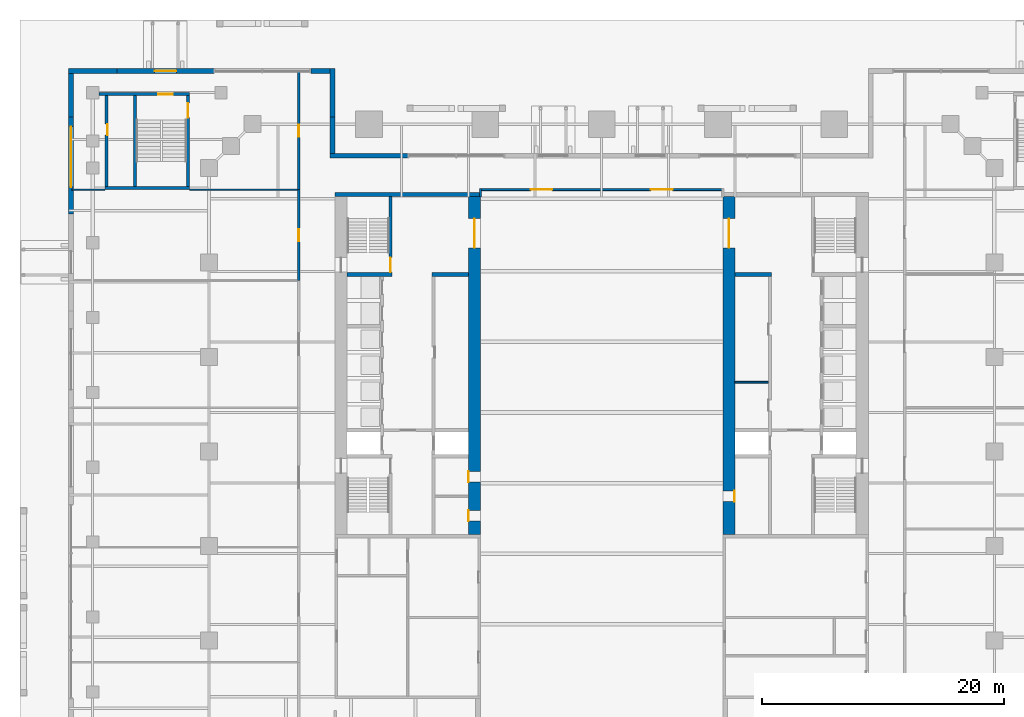
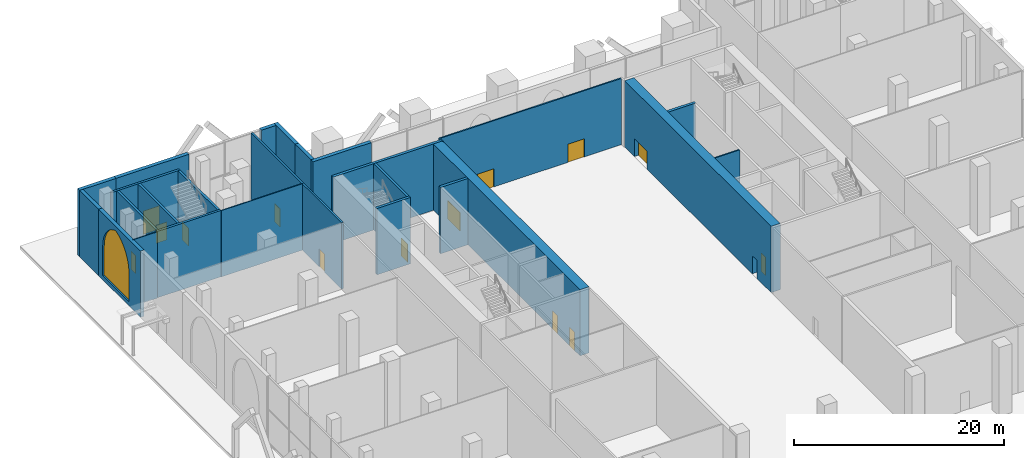
# One storey, part 32 of 38: 27 walls, 14 doors, 1 window, 15 openings.
"""IFC4 building model written with IfcOpenShell, lengths in metres."""

from ifc_helpers import new_model, si_unit, direction, frame, frame_2d, origin, place, context, subcontext, project, spatial, polyline, rectangle, outline, extrude, material, layer, layer_set, type_object, element, fill, save


model = new_model("IFC4")

# Units and contexts
model_context = context("Model", 3, precision=1e-05, world=origin(), true_north=direction((0.0, 1.0)))
body_context = subcontext(model_context, "Body", "Model", "MODEL_VIEW")
ifc_project = project(units=[si_unit("LENGTHUNIT", "METRE"), si_unit("AREAUNIT", "SQUARE_METRE"), si_unit("VOLUMEUNIT", "CUBIC_METRE"), si_unit("PLANEANGLEUNIT", "RADIAN"), si_unit("MASSUNIT", "GRAM", prefix="KILO")], contexts=[model_context])

# Site, building, storey
site_placement = place(None, origin())
site = spatial("IfcSite", under=ifc_project, at=site_placement, CompositionType="ELEMENT")
building_placement = place(site_placement, origin())
building = spatial("IfcBuilding", under=site, at=building_placement, Name="Ogive Exchange Tower", CompositionType="ELEMENT")
storey_placement = place(building_placement, origin())
storey = spatial("IfcBuildingStorey", under=building, at=storey_placement, Name="L00", CompositionType="ELEMENT", Elevation=0.0)

# Walls
ifc_material_1 = material(Name="Gypsum board partition")
ifc_layer_1 = layer(ifc_material_1, 0.14990234375)
ifc_layer_set_1 = layer_set([ifc_layer_1], Name="Core room partition 150 gypsum")
wall_type_1 = type_object("IfcWallType", Name="Core room partition 150 gypsum", PredefinedType="PARTITIONING", material=ifc_layer_set_1)
wall_1_placement = place(storey_placement, frame((11.0, 10.10009765625, 0.0), z_axis=(0.0, 0.0, 1.0), x_axis=(1.0, 0.0, 0.0)))
element("IfcWall", 1, at=wall_1_placement, inside=storey, type_object=wall_type_1, Name="E row B bay partition 1-1", PredefinedType="PARTITIONING", context=body_context, shape_type="SweptSolid", body=[
    extrude(rectangle(XDim=2.75, YDim=0.14990234375, at=frame_2d((1.375, 0.0))), origin(), (0.0, 0.0, 1.0), 7.699951171875),
])
ifc_layer_2 = layer(ifc_material_1, 0.300048828125)
ifc_layer_set_2 = layer_set([ifc_layer_2], Name="Core room partition 300 gypsum")
wall_type_2 = type_object("IfcWallType", Name="Core room partition 300 gypsum", PredefinedType="PARTITIONING", material=ifc_layer_set_2)
for number, where, z_axis, x_axis, name in (
    (2, (-14.0, 19.0, 0.0), (0.0, 0.0, 1.0), (1.0, 0.0, 0.0), "W row B room end wall 7"),
    (3, (11.0, 19.0, 0.0), (0.0, 0.0, 1.0), (1.0, 0.0, 0.0), "E row B room end wall 7"),
):
    element("IfcWall", number, at=place(storey_placement, frame(where, z_axis=z_axis, x_axis=x_axis)), inside=storey, type_object=wall_type_2, Name=name, PredefinedType="PARTITIONING", context=body_context, shape_type="SweptSolid", body=[
        extrude(rectangle(XDim=3.0, YDim=0.300048828125, at=frame_2d((1.5, 0.0))), origin(), (0.0, 0.0, 1.0), 7.699951171875),
    ])

# Wall, openings, doors
ifc_material_2 = material(Name="Fire partition EI 60 150")
ifc_layer_3 = layer(ifc_material_2, 0.14990234375)
ifc_layer_set_3 = layer_set([ifc_layer_3], Name="Fire partition EI 60 150")
wall_type_3 = type_object("IfcWallType", Name="Fire partition EI 60 150", PredefinedType="PARTITIONING", material=ifc_layer_set_3)
wall_2_placement = place(storey_placement, frame((-9.925048828125, 26.0, 0.0), z_axis=(0.0, 0.0, 1.0), x_axis=(1.0, 0.0, 0.0)))
wall_2 = element("IfcWall", 4, at=wall_2_placement, inside=storey, type_object=wall_type_3, Name="L00-PWL-027", PredefinedType="PARTITIONING", context=body_context, shape_type="SweptSolid", body=[
    extrude(rectangle(XDim=19.85009765625, YDim=0.14990234375, at=frame_2d((9.925048828125, 0.0))), origin(), (0.0, 0.0, 1.0), 7.699951171875),
])
opening_1_placement = place(wall_2_placement, frame((4.0625, 0.0, 0.0)))
opening_1 = element("IfcOpeningElement", 5, at=opening_1_placement, cuts=wall_2, Name="Opening L00-I01", PredefinedType="OPENING", context=body_context, shape_type="SweptSolid", body=[
    extrude(rectangle(XDim=1.800048828125, YDim=2.10009765625, at=frame_2d((0.89990234375, 1.050048828125))), frame((0.0, 0.0849609375, 0.0), z_axis=(0.0, -1.0, 0.0), x_axis=(1.0, 0.0, 0.0)), (0.0, 0.0, 1.0), 0.169921875),
])
opening_2_placement = place(wall_2_placement, frame((13.987548828125, 0.0, 0.0)))
opening_2 = element("IfcOpeningElement", 6, at=opening_2_placement, cuts=wall_2, Name="Opening L00-I02", PredefinedType="OPENING", context=body_context, shape_type="SweptSolid", body=[
    extrude(rectangle(XDim=1.800048828125, YDim=2.10009765625, at=frame_2d((0.89990234375, 1.050048828125))), frame((0.0, 0.0849609375, 0.0), z_axis=(0.0, -1.0, 0.0), x_axis=(1.0, 0.0, 0.0)), (0.0, 0.0, 1.0), 0.169921875),
])
ifc_material_3 = material(Name="Fire door FD 30S 1800 x 2100")
door_type_1 = type_object("IfcDoorType", Name="Fire door FD 30S 1800 x 2100", OperationType="DOUBLE_DOOR_SINGLE_SWING", PredefinedType="DOOR", material=ifc_material_3)
door_1_placement = place(opening_1_placement, frame((1.800048828125, 0.0, 0.0), z_axis=(0.0, 0.0, 1.0), x_axis=(-1.0, 0.0, 0.0)))
door_1 = element("IfcDoor", 7, at=door_1_placement, inside=storey, type_object=door_type_1, Name="L00-IDR-001", ObjectType="DT4", OperationType="SINGLE_SWING_RIGHT", OverallHeight=2.10009765625, OverallWidth=1.800048828125, PredefinedType="DOOR", context=body_context, shape_type="SweptSolid", body=[
    extrude(rectangle(XDim=1.800048828125, YDim=2.10009765625, at=frame_2d((0.89990234375, 1.050048828125))), frame((0.0, 0.02490234375, 0.0), z_axis=(0.0, -1.0, 0.0), x_axis=(1.0, 0.0, 0.0)), (0.0, 0.0, 1.0), 0.050048828125),
])
fill(opening_1, door_1)
door_2_placement = place(opening_2_placement, frame((1.800048828125, 0.0, 0.0), z_axis=(0.0, 0.0, 1.0), x_axis=(-1.0, 0.0, 0.0)))
door_2 = element("IfcDoor", 8, at=door_2_placement, inside=storey, type_object=door_type_1, Name="L00-IDR-002", ObjectType="DT4", OperationType="SINGLE_SWING_RIGHT", OverallHeight=2.10009765625, OverallWidth=1.800048828125, PredefinedType="DOOR", context=body_context, shape_type="SweptSolid", body=[
    extrude(rectangle(XDim=1.800048828125, YDim=2.10009765625, at=frame_2d((0.89990234375, 1.050048828125))), frame((0.0, 0.02490234375, 0.0), z_axis=(0.0, -1.0, 0.0), x_axis=(1.0, 0.0, 0.0)), (0.0, 0.0, 1.0), 0.050048828125),
])
fill(opening_2, door_2)

# Walls
wall_3_placement = place(storey_placement, frame((-10.0, 25.39990234375, 0.0), z_axis=(0.0, 0.0, 1.0), x_axis=(0.0, 1.0, 0.0)))
element("IfcWall", 9, at=wall_3_placement, inside=storey, type_object=wall_type_3, Name="L00-PWL-039", PredefinedType="PARTITIONING", context=body_context, shape_type="SweptSolid", body=[
    extrude(rectangle(XDim=0.675048828125, YDim=0.14990234375, at=frame_2d((0.33740234375, 0.0))), origin(), (0.0, 0.0, 1.0), 7.699951171875),
])
ifc_material_4 = material(Name="Precast concrete C40/50", Category="concrete")
ifc_layer_4 = layer(ifc_material_4, 0.39990234375)
ifc_layer_set_4 = layer_set([ifc_layer_4], Name="Limestone-faced wall 400")
wall_type_4 = type_object("IfcWallType", Name="Limestone-faced wall 400", PredefinedType="STANDARD", material=ifc_layer_set_4)
wall_4_placement = place(storey_placement, frame((-16.0, 28.800048828125, 0.0), z_axis=(0.0, 0.0, 1.0), x_axis=(-1.0, 0.0, 0.0)))
element("IfcWall", 10, at=wall_4_placement, inside=storey, type_object=wall_type_4, Name="Podium wall B6", PredefinedType="STANDARD", context=body_context, shape_type="SweptSolid", body=[
    extrude(rectangle(XDim=6.39990234375, YDim=0.39990234375, at=frame_2d((3.199951171875, 0.0))), origin(), (0.0, 0.0, 1.0), 7.699951171875),
])
wall_5_placement = place(storey_placement, frame((-22.199951171875, 29.0, 0.0), z_axis=(0.0, 0.0, 1.0), x_axis=(0.0, 1.0, 0.0)))
element("IfcWall", 11, at=wall_5_placement, inside=storey, type_object=wall_type_4, Name="Podium wall J1", PredefinedType="STANDARD", context=body_context, shape_type="SweptSolid", body=[
    extrude(rectangle(XDim=3.0, YDim=0.39990234375, at=frame_2d((1.5, 0.0))), origin(), (0.0, 0.0, 1.0), 7.699951171875),
])
wall_6_placement = place(storey_placement, frame((-22.199951171875, 32.0, 0.0), z_axis=(0.0, 0.0, 1.0), x_axis=(0.0, 1.0, 0.0)))
element("IfcWall", 12, at=wall_6_placement, inside=storey, type_object=wall_type_4, Name="Podium wall J2", PredefinedType="STANDARD", context=body_context, shape_type="SweptSolid", body=[
    extrude(rectangle(XDim=4.0, YDim=0.39990234375, at=frame_2d((2.0, 0.0))), origin(), (0.0, 0.0, 1.0), 7.699951171875),
])
wall_7_placement = place(storey_placement, frame((-22.39990234375, 35.800048828125, 0.0), z_axis=(0.0, 0.0, 1.0), x_axis=(-1.0, 0.0, 0.0)))
element("IfcWall", 13, at=wall_7_placement, inside=storey, type_object=wall_type_4, Name="Podium wall M1", PredefinedType="STANDARD", context=body_context, shape_type="SweptSolid", body=[
    extrude(rectangle(XDim=1.60009765625, YDim=0.39990234375, at=frame_2d((0.800048828125, 0.0))), origin(), (0.0, 0.0, 1.0), 7.699951171875),
])

# Wall, opening, door
wall_8_placement = place(storey_placement, frame((-32.0, 35.800048828125, 0.0), z_axis=(0.0, 0.0, 1.0), x_axis=(-1.0, 0.0, 0.0)))
wall_8 = element("IfcWall", 14, at=wall_8_placement, inside=storey, type_object=wall_type_4, Name="Podium wall M3", PredefinedType="STANDARD", context=body_context, shape_type="SweptSolid", body=[
    extrude(rectangle(XDim=8.0, YDim=0.39990234375, at=frame_2d((4.0, 0.0))), origin(), (0.0, 0.0, 1.0), 7.699951171875),
])
opening_3_placement = place(wall_8_placement, frame((3.10009765625, 0.0, 0.0)))
opening_3 = element("IfcOpeningElement", 15, at=opening_3_placement, cuts=wall_8, Name="Opening L00-E17", PredefinedType="OPENING", context=body_context, shape_type="SweptSolid", body=[
    extrude(rectangle(XDim=1.800048828125, YDim=2.699951171875, at=frame_2d((0.89990234375, 1.35009765625))), frame((0.0, 0.2099609375, 0.0), z_axis=(0.0, -1.0, 0.0), x_axis=(1.0, 0.0, 0.0)), (0.0, 0.0, 1.0), 0.419921875),
])
ifc_material_5 = material(Name="Steel and glass", Category="steel")
door_type_2 = type_object("IfcDoorType", Name="Exit door 1800 x 2700", OperationType="DOUBLE_DOOR_SINGLE_SWING", PredefinedType="DOOR", material=ifc_material_5)
door_3_placement = place(opening_3_placement, frame((1.800048828125, 0.0, 0.0), z_axis=(0.0, 0.0, 1.0), x_axis=(-1.0, 0.0, 0.0)))
door_3 = element("IfcDoor", 16, at=door_3_placement, inside=storey, type_object=door_type_2, Name="Exit door X12", ObjectType="XD1", OperationType="DOUBLE_DOOR_SINGLE_SWING", OverallHeight=2.699951171875, OverallWidth=1.800048828125, PredefinedType="DOOR", context=body_context, shape_type="SweptSolid", body=[
    extrude(rectangle(XDim=1.800048828125, YDim=2.699951171875, at=frame_2d((0.89990234375, 1.35009765625))), frame((0.0, 0.02490234375, 0.0), z_axis=(0.0, -1.0, 0.0), x_axis=(1.0, 0.0, 0.0)), (0.0, 0.0, 1.0), 0.050048828125),
])
fill(opening_3, door_3)

# Walls
wall_9_placement = place(storey_placement, frame((-40.0, 35.800048828125, 0.0), z_axis=(0.0, 0.0, 1.0), x_axis=(-1.0, 0.0, 0.0)))
element("IfcWall", 17, at=wall_9_placement, inside=storey, type_object=wall_type_4, Name="Podium wall M4", PredefinedType="STANDARD", context=body_context, shape_type="SweptSolid", body=[
    extrude(rectangle(XDim=4.0, YDim=0.39990234375, at=frame_2d((2.0, 0.0))), origin(), (0.0, 0.0, 1.0), 7.699951171875),
])
wall_10_placement = place(storey_placement, frame((-43.800048828125, 35.60009765625, 0.0), z_axis=(0.0, 0.0, 1.0), x_axis=(0.0, -1.0, 0.0)))
element("IfcWall", 18, at=wall_10_placement, inside=storey, type_object=wall_type_4, Name="Podium wall W1", PredefinedType="STANDARD", context=body_context, shape_type="SweptSolid", body=[
    extrude(rectangle(XDim=3.60009765625, YDim=0.39990234375, at=frame_2d((1.800048828125, 0.0))), origin(), (0.0, 0.0, 1.0), 7.699951171875),
])

# Wall, opening, window
wall_11_placement = place(storey_placement, frame((-43.800048828125, 32.0, 0.0), z_axis=(0.0, 0.0, 1.0), x_axis=(0.0, -1.0, 0.0)))
wall_11 = element("IfcWall", 19, at=wall_11_placement, inside=storey, type_object=wall_type_4, Name="Podium wall W2", PredefinedType="STANDARD", context=body_context, shape_type="SweptSolid", body=[
    extrude(rectangle(XDim=8.0, YDim=0.39990234375, at=frame_2d((4.0, 0.0))), origin(), (0.0, 0.0, 1.0), 7.699951171875),
])
opening_4_placement = place(wall_11_placement, frame((0.800048828125, 0.0, 0.5)))
opening_4 = element("IfcOpeningElement", 20, at=opening_4_placement, cuts=wall_11, Name="Opening WA500", PredefinedType="OPENING", context=body_context, shape_type="SweptSolid", body=[
    extrude(outline(polyline([(0.0, 0.0), (5.0, 0.0), (5.0, 3.349853515625), (4.955322265625, 3.907470703125), (4.822021484375, 4.450927734375), (4.603759765625, 4.966064453125), (4.30615234375, 5.43994140625), (3.936767578125, 5.860107421875), (3.5048828125, 6.2158203125), (3.02197265625, 6.498291015625), (2.5, 6.699951171875), (1.97802734375, 6.498291015625), (1.4951171875, 6.2158203125), (1.063232421875, 5.860107421875), (0.69384765625, 5.43994140625), (0.396240234375, 4.966064453125), (0.177978515625, 4.450927734375), (0.044677734375, 3.907470703125), (0.0, 3.349853515625), (0.0, 0.0)])), frame((0.0, 0.2099609375, 0.0), z_axis=(0.0, -1.0, 0.0), x_axis=(1.0, 0.0, 0.0)), (0.0, 0.0, 1.0), 0.419921875),
])
ifc_material_6 = material(Name="Clear glass in bronze frame", Category="glass")
window_type = type_object("IfcWindowType", Name="Arcade lancet 5000 x 6700", PartitioningType="DOUBLE_PANEL_VERTICAL", PredefinedType="WINDOW", material=ifc_material_6)
window_placement = place(opening_4_placement, origin())
window = element("IfcWindow", 21, at=window_placement, inside=storey, type_object=window_type, Name="Arcade lancet W2", OverallHeight=6.699951171875, OverallWidth=5.0, PartitioningType="DOUBLE_PANEL_VERTICAL", PredefinedType="WINDOW", context=body_context, shape_type="SweptSolid", body=[
    extrude(outline(polyline([(0.0, 0.0), (5.0, 0.0), (5.0, 3.349853515625), (4.955322265625, 3.907470703125), (4.822021484375, 4.450927734375), (4.603759765625, 4.966064453125), (4.30615234375, 5.43994140625), (3.936767578125, 5.860107421875), (3.5048828125, 6.2158203125), (3.02197265625, 6.498291015625), (2.5, 6.699951171875), (1.97802734375, 6.498291015625), (1.4951171875, 6.2158203125), (1.063232421875, 5.860107421875), (0.69384765625, 5.43994140625), (0.396240234375, 4.966064453125), (0.177978515625, 4.450927734375), (0.044677734375, 3.907470703125), (0.0, 3.349853515625), (0.0, 0.0)])), frame((0.0, 0.030029296875, 0.0), z_axis=(0.0, -1.0, 0.0), x_axis=(1.0, 0.0, 0.0)), (0.0, 0.0, 1.0), 0.06005859375),
])
fill(opening_4, window)

# Walls
ifc_material_7 = material(Name="Partition 100 gypsum")
ifc_layer_5 = layer(ifc_material_7, 0.10009765625)
ifc_layer_set_5 = layer_set([ifc_layer_5], Name="Partition 100 gypsum")
wall_type_5 = type_object("IfcWallType", Name="Partition 100 gypsum", PredefinedType="PARTITIONING", material=ifc_layer_set_5)
wall_12_placement = place(storey_placement, frame((-43.719970703125, 26.0, 0.0), z_axis=(0.0, 0.0, 1.0), x_axis=(1.0, 0.0, 0.0)))
element("IfcWall", 22, at=wall_12_placement, inside=storey, type_object=wall_type_5, Name="L00-PWL-025", PredefinedType="PARTITIONING", context=body_context, shape_type="SweptSolid", body=[
    extrude(rectangle(XDim=2.719970703125, YDim=0.10009765625, at=frame_2d((1.35986328125, 0.0))), origin(), (0.0, 0.0, 1.0), 7.699951171875),
])
wall_13_placement = place(storey_placement, frame((-34.0, 26.0, 0.0), z_axis=(0.0, 0.0, 1.0), x_axis=(1.0, 0.0, 0.0)))
element("IfcWall", 23, at=wall_13_placement, inside=storey, type_object=wall_type_5, Name="L00-PWL-026", PredefinedType="PARTITIONING", context=body_context, shape_type="SweptSolid", body=[
    extrude(rectangle(XDim=8.89990234375, YDim=0.10009765625, at=frame_2d((4.449951171875, 0.0))), origin(), (0.0, 0.0, 1.0), 7.699951171875),
])

# Wall, openings, doors
ifc_material_8 = material(Name="Concrete C70/85", Category="concrete")
ifc_layer_6 = layer(ifc_material_8, 1.0)
ifc_layer_set_6 = layer_set([ifc_layer_6], Name="RC core wall 1000 C70/85")
wall_type_6 = type_object("IfcWallType", Name="RC core wall 1000 C70/85", PredefinedType="SHEAR", material=ifc_layer_set_6)
wall_14_placement = place(storey_placement, frame((-10.5, -2.449951171875, 0.0), z_axis=(0.0, 0.0, 1.0), x_axis=(0.0, 1.0, 0.0)))
wall_14 = element("IfcWall", 24, at=wall_14_placement, inside=storey, type_object=wall_type_6, Name="W inner wall", PredefinedType="SHEAR", context=body_context, shape_type="SweptSolid", body=[
    extrude(rectangle(XDim=27.89990234375, YDim=1.0, at=frame_2d((13.949951171875, 0.0))), origin(), (0.0, 0.0, 1.0), 7.699951171875),
])
opening_5_placement = place(wall_14_placement, frame((23.64990234375, 0.0, 0.0)))
opening_5 = element("IfcOpeningElement", 25, at=opening_5_placement, cuts=wall_14, Name="Opening L00-C11", PredefinedType="OPENING", context=body_context, shape_type="SweptSolid", body=[
    extrude(rectangle(XDim=2.39990234375, YDim=2.10009765625, at=frame_2d((1.199951171875, 1.050048828125))), frame((0.0, 0.510009765625, 0.0), z_axis=(0.0, -1.0, 0.0), x_axis=(1.0, 0.0, 0.0)), (0.0, 0.0, 1.0), 1.02001953125),
])
opening_6_placement = place(wall_14_placement, frame((1.08740234375, 0.0, 0.0)))
opening_6 = element("IfcOpeningElement", 26, at=opening_6_placement, cuts=wall_14, Name="Opening L00-C16", PredefinedType="OPENING", context=body_context, shape_type="SweptSolid", body=[
    extrude(rectangle(XDim=0.89990234375, YDim=2.10009765625, at=frame_2d((0.449951171875, 1.050048828125))), frame((0.0, 0.510009765625, 0.0), z_axis=(0.0, -1.0, 0.0), x_axis=(1.0, 0.0, 0.0)), (0.0, 0.0, 1.0), 1.02001953125),
])
opening_7_placement = place(wall_14_placement, frame((4.3125, 0.0, 0.0)))
opening_7 = element("IfcOpeningElement", 27, at=opening_7_placement, cuts=wall_14, Name="Opening L00-C17", PredefinedType="OPENING", context=body_context, shape_type="SweptSolid", body=[
    extrude(rectangle(XDim=0.89990234375, YDim=2.10009765625, at=frame_2d((0.449951171875, 1.050048828125))), frame((0.0, 0.510009765625, 0.0), z_axis=(0.0, -1.0, 0.0), x_axis=(1.0, 0.0, 0.0)), (0.0, 0.0, 1.0), 1.02001953125),
])
ifc_material_9 = material(Name="Timber fire door", Category="wood")
door_type_3 = type_object("IfcDoorType", Name="Core room door FD30S 900 x 2100", OperationType="NOTDEFINED", PredefinedType="DOOR", material=ifc_material_9)
door_4_placement = place(opening_6_placement, origin())
door_4 = element("IfcDoor", 28, at=door_4_placement, inside=storey, type_object=door_type_3, Name="Core room door", ObjectType="CD6", OperationType="SINGLE_SWING_LEFT", OverallHeight=2.10009765625, OverallWidth=0.89990234375, PredefinedType="DOOR", context=body_context, shape_type="SweptSolid", body=[
    extrude(rectangle(XDim=0.89990234375, YDim=2.10009765625, at=frame_2d((0.449951171875, 1.050048828125))), frame((0.0, 0.5, 0.0), z_axis=(0.0, -1.0, 0.0), x_axis=(1.0, 0.0, 0.0)), (0.0, 0.0, 1.0), 0.050048828125),
])
fill(opening_6, door_4)
ifc_material_10 = material(Name="Glazed steel fire door", Category="steel")
door_type_4 = type_object("IfcDoorType", Name="Lift lobby double door FD60 2400 x 2100", OperationType="DOUBLE_DOOR_SINGLE_SWING", PredefinedType="DOOR", material=ifc_material_10)
door_5_placement = place(opening_5_placement, frame((2.39990234375, 0.0, 0.0), z_axis=(0.0, 0.0, 1.0), x_axis=(-1.0, 0.0, 0.0)))
door_5 = element("IfcDoor", 29, at=door_5_placement, inside=storey, type_object=door_type_4, Name="Lift lobby double door", ObjectType="CD4", OperationType="DOUBLE_DOOR_SINGLE_SWING", OverallHeight=2.10009765625, OverallWidth=2.39990234375, PredefinedType="DOOR", context=body_context, shape_type="SweptSolid", body=[
    extrude(rectangle(XDim=2.39990234375, YDim=2.10009765625, at=frame_2d((1.199951171875, 1.050048828125))), frame((0.0, 0.02490234375, 0.0), z_axis=(0.0, -1.0, 0.0), x_axis=(1.0, 0.0, 0.0)), (0.0, 0.0, 1.0), 0.050048828125),
])
fill(opening_5, door_5)
ifc_material_11 = material(Name="Steel fire door", Category="steel")
door_type_5 = type_object("IfcDoorType", Name="Riser door FD60 900 x 2100", OperationType="NOTDEFINED", PredefinedType="DOOR", material=ifc_material_11)
door_6_placement = place(opening_7_placement, origin())
door_6 = element("IfcDoor", 30, at=door_6_placement, inside=storey, type_object=door_type_5, Name="Riser door", ObjectType="CD2", OperationType="SINGLE_SWING_LEFT", OverallHeight=2.10009765625, OverallWidth=0.89990234375, PredefinedType="DOOR", context=body_context, shape_type="SweptSolid", body=[
    extrude(rectangle(XDim=0.89990234375, YDim=2.10009765625, at=frame_2d((0.449951171875, 1.050048828125))), frame((0.0, 0.5, 0.0), z_axis=(0.0, -1.0, 0.0), x_axis=(1.0, 0.0, 0.0)), (0.0, 0.0, 1.0), 0.050048828125),
])
fill(opening_7, door_6)

wall_15_placement = place(storey_placement, frame((10.5, -2.449951171875, 0.0), z_axis=(0.0, 0.0, 1.0), x_axis=(0.0, 1.0, 0.0)))
wall_15 = element("IfcWall", 31, at=wall_15_placement, inside=storey, type_object=wall_type_6, Name="E inner wall", PredefinedType="SHEAR", context=body_context, shape_type="SweptSolid", body=[
    extrude(rectangle(XDim=27.89990234375, YDim=1.0, at=frame_2d((13.949951171875, 0.0))), origin(), (0.0, 0.0, 1.0), 7.699951171875),
])
opening_8_placement = place(wall_15_placement, frame((23.64990234375, 0.0, 0.0)))
opening_8 = element("IfcOpeningElement", 32, at=opening_8_placement, cuts=wall_15, Name="Opening L00-C34", PredefinedType="OPENING", context=body_context, shape_type="SweptSolid", body=[
    extrude(rectangle(XDim=2.39990234375, YDim=2.10009765625, at=frame_2d((1.199951171875, 1.050048828125))), frame((0.0, 0.510009765625, 0.0), z_axis=(0.0, -1.0, 0.0), x_axis=(1.0, 0.0, 0.0)), (0.0, 0.0, 1.0), 1.02001953125),
])
opening_9_placement = place(wall_15_placement, frame((2.699951171875, 0.0, 0.0)))
opening_9 = element("IfcOpeningElement", 33, at=opening_9_placement, cuts=wall_15, Name="Opening L00-C39", PredefinedType="OPENING", context=body_context, shape_type="SweptSolid", body=[
    extrude(rectangle(XDim=0.89990234375, YDim=2.10009765625, at=frame_2d((0.449951171875, 1.050048828125))), frame((0.0, 0.510009765625, 0.0), z_axis=(0.0, -1.0, 0.0), x_axis=(1.0, 0.0, 0.0)), (0.0, 0.0, 1.0), 1.02001953125),
])
door_7_placement = place(opening_9_placement, frame((0.89990234375, -0.9501953125, 0.0), z_axis=(0.0, 0.0, 1.0), x_axis=(-1.0, 0.0, 0.0)))
door_7 = element("IfcDoor", 34, at=door_7_placement, inside=storey, type_object=door_type_3, Name="Core room door", ObjectType="CD6", OperationType="SINGLE_SWING_LEFT", OverallHeight=2.10009765625, OverallWidth=0.89990234375, PredefinedType="DOOR", context=body_context, shape_type="SweptSolid", body=[
    extrude(rectangle(XDim=0.89990234375, YDim=2.10009765625, at=frame_2d((0.449951171875, 1.050048828125))), frame((0.0, -0.4501953125, 0.0), z_axis=(0.0, -1.0, 0.0), x_axis=(1.0, 0.0, 0.0)), (0.0, 0.0, 1.0), 0.050048828125),
])
fill(opening_9, door_7)
door_8_placement = place(opening_8_placement, origin())
door_8 = element("IfcDoor", 35, at=door_8_placement, inside=storey, type_object=door_type_4, Name="Lift lobby double door", ObjectType="CD4", OperationType="DOUBLE_DOOR_SINGLE_SWING", OverallHeight=2.10009765625, OverallWidth=2.39990234375, PredefinedType="DOOR", context=body_context, shape_type="SweptSolid", body=[
    extrude(rectangle(XDim=2.39990234375, YDim=2.10009765625, at=frame_2d((1.199951171875, 1.050048828125))), frame((0.0, 0.02490234375, 0.0), z_axis=(0.0, -1.0, 0.0), x_axis=(1.0, 0.0, 0.0)), (0.0, 0.0, 1.0), 0.050048828125),
])
fill(opening_8, door_8)

# Wall, opening, door
ifc_layer_7 = layer(ifc_material_8, 0.25)
ifc_layer_set_7 = layer_set([ifc_layer_7], Name="RC core wall 250 C70/85")
wall_type_7 = type_object("IfcWallType", Name="RC core wall 250 C70/85", PredefinedType="SHEAR", material=ifc_layer_set_7)
wall_16_placement = place(storey_placement, frame((-17.425048828125, 19.14990234375, 0.0), z_axis=(0.0, 0.0, 1.0), x_axis=(0.0, 1.0, 0.0)))
wall_16 = element("IfcWall", 36, at=wall_16_placement, inside=storey, type_object=wall_type_7, Name="W stair N front wall", PredefinedType="SHEAR", context=body_context, shape_type="SweptSolid", body=[
    extrude(rectangle(XDim=6.300048828125, YDim=0.25, at=frame_2d((3.14990234375, 0.0))), origin(), (0.0, 0.0, 1.0), 7.699951171875),
])
opening_10_placement = place(wall_16_placement, frame((0.050048828125, 0.0, 0.0)))
opening_10 = element("IfcOpeningElement", 37, at=opening_10_placement, cuts=wall_16, Name="Opening L00-C14", PredefinedType="OPENING", context=body_context, shape_type="SweptSolid", body=[
    extrude(rectangle(XDim=1.199951171875, YDim=2.10009765625, at=frame_2d((0.60009765625, 1.050048828125))), frame((0.0, 0.135009765625, 0.0), z_axis=(0.0, -1.0, 0.0), x_axis=(1.0, 0.0, 0.0)), (0.0, 0.0, 1.0), 0.27001953125),
])
door_type_6 = type_object("IfcDoorType", Name="Stair door FD90 1200 x 2100", OperationType="NOTDEFINED", PredefinedType="DOOR", material=ifc_material_11)
door_9_placement = place(opening_10_placement, origin())
door_9 = element("IfcDoor", 38, at=door_9_placement, inside=storey, type_object=door_type_6, Name="Stair door", ObjectType="CD5", OperationType="SINGLE_SWING_RIGHT", OverallHeight=2.10009765625, OverallWidth=1.199951171875, PredefinedType="DOOR", context=body_context, shape_type="SweptSolid", body=[
    extrude(rectangle(XDim=1.199951171875, YDim=2.10009765625, at=frame_2d((0.60009765625, 1.050048828125))), frame((0.0, 0.02490234375, 0.0), z_axis=(0.0, -1.0, 0.0), x_axis=(1.0, 0.0, 0.0)), (0.0, 0.0, 1.0), 0.050048828125),
])
fill(opening_10, door_9)

# Wall
wall_17_placement = place(storey_placement, frame((-41.0, 26.125, 0.0), z_axis=(0.0, 0.0, 1.0), x_axis=(1.0, 0.0, 0.0)))
element("IfcWall", 39, at=wall_17_placement, inside=storey, type_object=wall_type_7, Name="PS3 south wall", PredefinedType="SHEAR", context=body_context, shape_type="SweptSolid", body=[
    extrude(rectangle(XDim=7.0, YDim=0.25, at=frame_2d((3.5, 0.0))), origin(), (0.0, 0.0, 1.0), 7.699951171875),
])

# Wall, opening, door
wall_18_placement = place(storey_placement, frame((-41.5, 33.875, 0.0), z_axis=(0.0, 0.0, 1.0), x_axis=(1.0, 0.0, 0.0)))
wall_18 = element("IfcWall", 40, at=wall_18_placement, inside=storey, type_object=wall_type_7, Name="PS3 north wall", PredefinedType="SHEAR", context=body_context, shape_type="SweptSolid", body=[
    extrude(rectangle(XDim=7.5, YDim=0.25, at=frame_2d((3.75, 0.0))), origin(), (0.0, 0.0, 1.0), 7.699951171875),
])
opening_11_placement = place(wall_18_placement, frame((4.89990234375, 0.0, 0.0)))
opening_11 = element("IfcOpeningElement", 41, at=opening_11_placement, cuts=wall_18, Name="Opening L00-C52", PredefinedType="OPENING", context=body_context, shape_type="SweptSolid", body=[
    extrude(rectangle(XDim=1.199951171875, YDim=2.10009765625, at=frame_2d((0.60009765625, 1.050048828125))), frame((0.0, 0.135009765625, 0.0), z_axis=(0.0, -1.0, 0.0), x_axis=(1.0, 0.0, 0.0)), (0.0, 0.0, 1.0), 0.27001953125),
])
door_10_placement = place(opening_11_placement, origin())
door_10 = element("IfcDoor", 42, at=door_10_placement, inside=storey, type_object=door_type_6, Name="Stair door", ObjectType="CD5", OperationType="SINGLE_SWING_RIGHT", OverallHeight=2.10009765625, OverallWidth=1.199951171875, PredefinedType="DOOR", context=body_context, shape_type="SweptSolid", body=[
    extrude(rectangle(XDim=1.199951171875, YDim=2.10009765625, at=frame_2d((0.60009765625, 1.050048828125))), frame((0.0, 0.02490234375, 0.0), z_axis=(0.0, -1.0, 0.0), x_axis=(1.0, 0.0, 0.0)), (0.0, 0.0, 1.0), 0.050048828125),
])
fill(opening_11, door_10)

wall_19_placement = place(storey_placement, frame((-40.875, 26.25, 0.0), z_axis=(0.0, 0.0, 1.0), x_axis=(0.0, 1.0, 0.0)))
wall_19 = element("IfcWall", 43, at=wall_19_placement, inside=storey, type_object=wall_type_7, Name="PS3 west wall", PredefinedType="SHEAR", context=body_context, shape_type="SweptSolid", body=[
    extrude(rectangle(XDim=7.5, YDim=0.25, at=frame_2d((3.75, 0.0))), origin(), (0.0, 0.0, 1.0), 7.699951171875),
])
opening_12_placement = place(wall_19_placement, frame((4.25, 0.0, 0.0)))
opening_12 = element("IfcOpeningElement", 44, at=opening_12_placement, cuts=wall_19, Name="Opening L00-C51", PredefinedType="OPENING", context=body_context, shape_type="SweptSolid", body=[
    extrude(rectangle(XDim=0.89990234375, YDim=2.10009765625, at=frame_2d((0.449951171875, 1.050048828125))), frame((0.0, 0.135009765625, 0.0), z_axis=(0.0, -1.0, 0.0), x_axis=(1.0, 0.0, 0.0)), (0.0, 0.0, 1.0), 0.27001953125),
])
door_11_placement = place(opening_12_placement, origin())
door_11 = element("IfcDoor", 45, at=door_11_placement, inside=storey, type_object=door_type_5, Name="Riser door", ObjectType="CD2", OperationType="SINGLE_SWING_LEFT", OverallHeight=2.10009765625, OverallWidth=0.89990234375, PredefinedType="DOOR", context=body_context, shape_type="SweptSolid", body=[
    extrude(rectangle(XDim=0.89990234375, YDim=2.10009765625, at=frame_2d((0.449951171875, 1.050048828125))), frame((0.0, -0.0751953125, 0.0), z_axis=(0.0, -1.0, 0.0), x_axis=(1.0, 0.0, 0.0)), (0.0, 0.0, 1.0), 0.050048828125),
])
fill(opening_12, door_11)

wall_20_placement = place(storey_placement, frame((-34.125, 26.25, 0.0), z_axis=(0.0, 0.0, 1.0), x_axis=(0.0, 1.0, 0.0)))
wall_20 = element("IfcWall", 46, at=wall_20_placement, inside=storey, type_object=wall_type_7, Name="PS3 east wall", PredefinedType="SHEAR", context=body_context, shape_type="SweptSolid", body=[
    extrude(rectangle(XDim=7.5, YDim=0.25, at=frame_2d((3.75, 0.0))), origin(), (0.0, 0.0, 1.0), 7.699951171875),
])
opening_13_placement = place(wall_20_placement, frame((5.699951171875, 0.0, 0.0)))
opening_13 = element("IfcOpeningElement", 47, at=opening_13_placement, cuts=wall_20, Name="Opening L00-C50", PredefinedType="OPENING", context=body_context, shape_type="SweptSolid", body=[
    extrude(rectangle(XDim=1.199951171875, YDim=2.10009765625, at=frame_2d((0.60009765625, 1.050048828125))), frame((0.0, 0.135009765625, 0.0), z_axis=(0.0, -1.0, 0.0), x_axis=(1.0, 0.0, 0.0)), (0.0, 0.0, 1.0), 0.27001953125),
])
door_12_placement = place(opening_13_placement, origin())
door_12 = element("IfcDoor", 48, at=door_12_placement, inside=storey, type_object=door_type_6, Name="Stair door", ObjectType="CD5", OperationType="SINGLE_SWING_LEFT", OverallHeight=2.10009765625, OverallWidth=1.199951171875, PredefinedType="DOOR", context=body_context, shape_type="SweptSolid", body=[
    extrude(rectangle(XDim=1.199951171875, YDim=2.10009765625, at=frame_2d((0.60009765625, 1.050048828125))), frame((0.0, 0.02490234375, 0.0), z_axis=(0.0, -1.0, 0.0), x_axis=(1.0, 0.0, 0.0)), (0.0, 0.0, 1.0), 0.050048828125),
])
fill(opening_13, door_12)

# Walls
wall_21_placement = place(storey_placement, frame((-38.52490234375, 26.25, 0.0), z_axis=(0.0, 0.0, 1.0), x_axis=(0.0, 1.0, 0.0)))
element("IfcWall", 49, at=wall_21_placement, inside=storey, type_object=wall_type_7, Name="PS3 partition wall", PredefinedType="SHEAR", context=body_context, shape_type="SweptSolid", body=[
    extrude(rectangle(XDim=7.5, YDim=0.25, at=frame_2d((3.75, 0.0))), origin(), (0.0, 0.0, 1.0), 7.699951171875),
])
ifc_layer_8 = layer(ifc_material_8, 0.300048828125)
ifc_layer_set_8 = layer_set([ifc_layer_8], Name="RC core wall 300 C70/85")
wall_type_8 = type_object("IfcWallType", Name="RC core wall 300 C70/85", PredefinedType="SHEAR", material=ifc_layer_set_8)
wall_22_placement = place(storey_placement, frame((-22.0, 25.60009765625, 0.0), z_axis=(0.0, 0.0, 1.0), x_axis=(1.0, 0.0, 0.0)))
element("IfcWall", 50, at=wall_22_placement, inside=storey, type_object=wall_type_8, Name="W north end wall", PredefinedType="SHEAR", context=body_context, shape_type="SweptSolid", body=[
    extrude(rectangle(XDim=12.0, YDim=0.300048828125, at=frame_2d((6.0, 0.0))), origin(), (0.0, 0.0, 1.0), 7.699951171875),
])
wall_23_placement = place(storey_placement, frame((-21.0, 19.0, 0.0), z_axis=(0.0, 0.0, 1.0), x_axis=(1.0, 0.0, 0.0)))
element("IfcWall", 51, at=wall_23_placement, inside=storey, type_object=wall_type_8, Name="W stair N south wall", PredefinedType="SHEAR", context=body_context, shape_type="SweptSolid", body=[
    extrude(rectangle(XDim=3.699951171875, YDim=0.300048828125, at=frame_2d((1.85009765625, 0.0))), origin(), (0.0, 0.0, 1.0), 7.699951171875),
])

# Wall, opening, door
ifc_material_12 = material(Name="Shaft enclosure EI 120 200")
ifc_layer_9 = layer(ifc_material_12, 0.199951171875)
ifc_layer_set_9 = layer_set([ifc_layer_9], Name="Shaft enclosure EI 120 200")
wall_type_9 = type_object("IfcWallType", Name="Shaft enclosure EI 120 200", PredefinedType="PARTITIONING", material=ifc_layer_set_9)
wall_24_placement = place(storey_placement, frame((-25.0, 18.5, 0.0), z_axis=(0.0, 0.0, 1.0), x_axis=(0.0, 1.0, 0.0)))
wall_24 = element("IfcWall", 52, at=wall_24_placement, inside=storey, type_object=wall_type_9, Name="L00-PWL-036", PredefinedType="PARTITIONING", context=body_context, shape_type="SweptSolid", body=[
    extrude(rectangle(XDim=7.5, YDim=0.199951171875, at=frame_2d((3.75, 0.0))), origin(), (0.0, 0.0, 1.0), 7.699951171875),
])
opening_14_placement = place(wall_24_placement, frame((3.25, 0.0, 0.0)))
opening_14 = element("IfcOpeningElement", 53, at=opening_14_placement, cuts=wall_24, Name="Opening L00-I11", PredefinedType="OPENING", context=body_context, shape_type="SweptSolid", body=[
    extrude(rectangle(XDim=1.0, YDim=2.10009765625, at=frame_2d((0.5, 1.050048828125))), frame((0.0, 0.10986328125, 0.0), z_axis=(0.0, -1.0, 0.0), x_axis=(1.0, 0.0, 0.0)), (0.0, 0.0, 1.0), 0.219970703125),
])
ifc_material_13 = material(Name="Stair door FD 90 1000 x 2100")
door_type_7 = type_object("IfcDoorType", Name="Stair door FD 90 1000 x 2100", OperationType="NOTDEFINED", PredefinedType="DOOR", material=ifc_material_13)
door_13_placement = place(opening_14_placement, origin())
door_13 = element("IfcDoor", 54, at=door_13_placement, inside=storey, type_object=door_type_7, Name="L00-IDR-011", ObjectType="DT5", OperationType="SINGLE_SWING_RIGHT", OverallHeight=2.10009765625, OverallWidth=1.0, PredefinedType="DOOR", context=body_context, shape_type="SweptSolid", body=[
    extrude(rectangle(XDim=1.0, YDim=2.10009765625, at=frame_2d((0.5, 1.050048828125))), frame((0.0, 0.02490234375, 0.0), z_axis=(0.0, -1.0, 0.0), x_axis=(1.0, 0.0, 0.0)), (0.0, 0.0, 1.0), 0.050048828125),
])
fill(opening_14, door_13)

wall_25_placement = place(storey_placement, frame((-25.0, 26.0, 0.0), z_axis=(0.0, 0.0, 1.0), x_axis=(0.0, 1.0, 0.0)))
wall_25 = element("IfcWall", 55, at=wall_25_placement, inside=storey, type_object=wall_type_9, Name="L00-PWL-037", PredefinedType="PARTITIONING", context=body_context, shape_type="SweptSolid", body=[
    extrude(rectangle(XDim=9.719970703125, YDim=0.199951171875, at=frame_2d((4.85986328125, 0.0))), origin(), (0.0, 0.0, 1.0), 7.699951171875),
])
opening_15_placement = place(wall_25_placement, frame((4.360107421875, 0.0, 0.0)))
opening_15 = element("IfcOpeningElement", 56, at=opening_15_placement, cuts=wall_25, Name="Opening L00-I05", PredefinedType="OPENING", context=body_context, shape_type="SweptSolid", body=[
    extrude(rectangle(XDim=1.0, YDim=2.10009765625, at=frame_2d((0.5, 1.050048828125))), frame((0.0, 0.10986328125, 0.0), z_axis=(0.0, -1.0, 0.0), x_axis=(1.0, 0.0, 0.0)), (0.0, 0.0, 1.0), 0.219970703125),
])
door_14_placement = place(opening_15_placement, origin())
door_14 = element("IfcDoor", 57, at=door_14_placement, inside=storey, type_object=door_type_7, Name="L00-IDR-005", ObjectType="DT5", OperationType="SINGLE_SWING_RIGHT", OverallHeight=2.10009765625, OverallWidth=1.0, PredefinedType="DOOR", context=body_context, shape_type="SweptSolid", body=[
    extrude(rectangle(XDim=1.0, YDim=2.10009765625, at=frame_2d((0.5, 1.050048828125))), frame((0.0, 0.02490234375, 0.0), z_axis=(0.0, -1.0, 0.0), x_axis=(1.0, 0.0, 0.0)), (0.0, 0.0, 1.0), 0.050048828125),
])
fill(opening_15, door_14)

save(model, "model.ifc")
